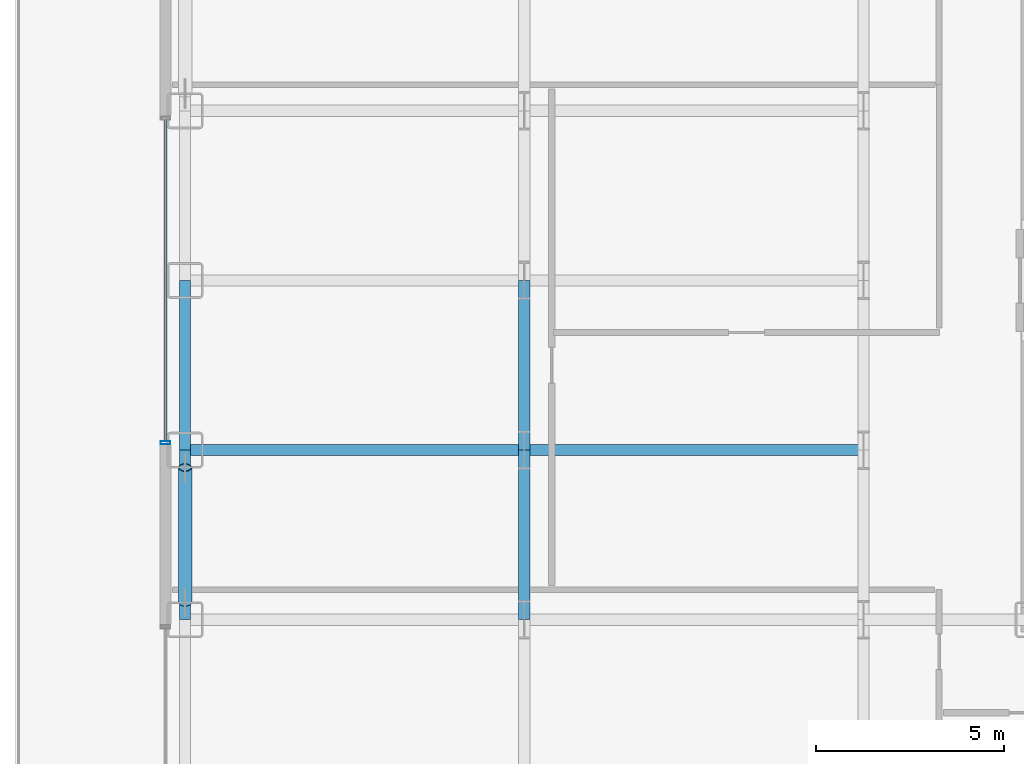
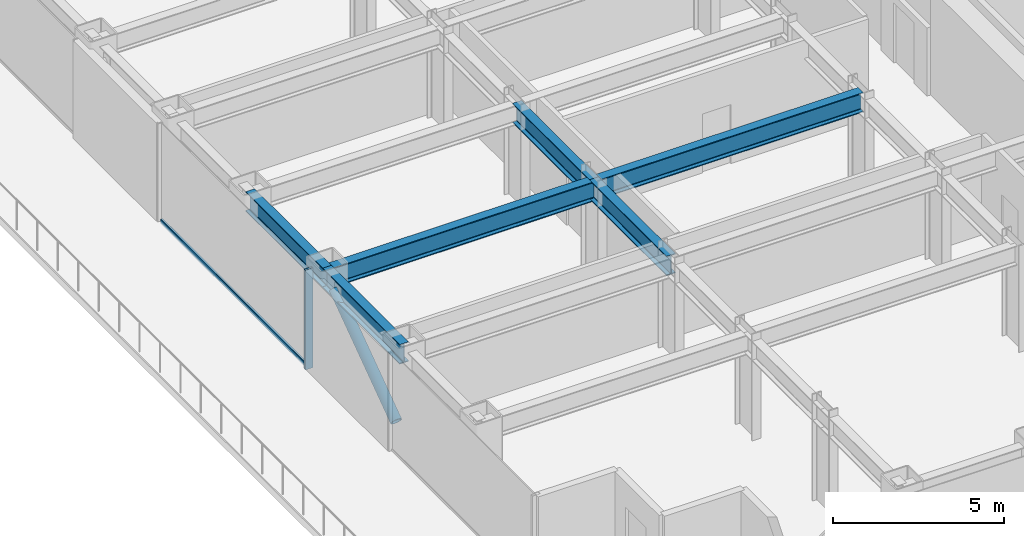
# One storey, part 5 of 30: 6 beams, 3 members, 1 element without a shape of its own.
"""IFC4 building model written with IfcOpenShell, lengths in metres."""

import ifcopenshell
import ifcopenshell.guid

model = None  # the IFC model being written
_history = None  # IfcOwnerHistory: only IFC2X3 demands one
_inside = {}  # id of a spatial element -> (the spatial element, [elements in it])
_under = {}  # id of a project, library or spatial element -> (it, [spatial elements below it])
_declared = {}  # id of a project -> (the project, [libraries it declares])
_typed = {}  # id of a type object -> (the type object, [elements of that type])
_made_of = {}  # id of a material, layer set ... -> (it, [elements and type objects made of it])


def new_model(schema):
    """Start an empty IFC model of exactly this schema.

    Asked for "IFC4X3", IfcOpenShell would pick the latest addendum, in which some entities
    have other attributes; the version numbers below select the first issue.
    IFC2X3 requires an IfcOwnerHistory on every rooted entity: one is made here for all.
    """
    global model, _history
    if schema == "IFC4X3":
        model = ifcopenshell.file(schema_version=(4, 3, 0, 0))
    else:
        model = ifcopenshell.file(schema=schema)
    _inside.clear()
    _under.clear()
    _declared.clear()
    _typed.clear()
    _made_of.clear()
    _history = None
    if model.schema == "IFC2X3":
        org = make("IfcOrganization", Name="unknown")
        user = make(
            "IfcPersonAndOrganization",
            ThePerson=make("IfcPerson", FamilyName="unknown"),
            TheOrganization=org,
        )
        app = make(
            "IfcApplication",
            ApplicationDeveloper=org,
            Version="unknown",
            ApplicationFullName="unknown",
            ApplicationIdentifier="unknown",
        )
        _history = make(
            "IfcOwnerHistory",
            OwningUser=user,
            OwningApplication=app,
            ChangeAction="ADDED",
            CreationDate=0,
        )
    return model


def make(cls, **values):
    """One entity of the class cls with the attributes given. An attribute that is None is left unset."""
    return model.create_entity(
        cls, **{name: value for name, value in values.items() if value is not None}
    )


def rooted(cls, **values):
    """An entity with a GlobalId (a new one), such as an element, a storey or a relation."""
    return make(cls, GlobalId=ifcopenshell.guid.new(), OwnerHistory=_history, **values)


def si_unit(unit_type, name, prefix=None):
    """IfcSIUnit, for example si_unit("LENGTHUNIT", "METRE", prefix="MILLI")."""
    return make("IfcSIUnit", UnitType=unit_type, Prefix=prefix, Name=name)


def assignment(units):
    """IfcUnitAssignment: the units of a project."""
    return None if units is None else make("IfcUnitAssignment", Units=units)


def point(xyz):
    """IfcCartesianPoint."""
    return None if xyz is None else make("IfcCartesianPoint", Coordinates=xyz)


def direction(xyz):
    """IfcDirection."""
    return None if xyz is None else make("IfcDirection", DirectionRatios=xyz)


def frame(location, z_axis=None, x_axis=None):
    """IfcAxis2Placement3D, a coordinate frame: its origin and axes. An axis left out is left unset."""
    return make(
        "IfcAxis2Placement3D",
        Location=point(location),
        Axis=direction(z_axis),
        RefDirection=direction(x_axis),
    )


def frame_2d(location, x_axis=None):
    """IfcAxis2Placement2D, a coordinate frame in the plane: its origin and x axis."""
    return make(
        "IfcAxis2Placement2D", Location=point(location), RefDirection=direction(x_axis)
    )


def origin():
    """The frame at (0, 0, 0) with its axes left unset."""
    return frame((0.0, 0.0, 0.0))


def origin_2d():
    """The frame at (0, 0) in the plane with its x axis left unset."""
    return frame_2d((0.0, 0.0))


def place(relative_to, where):
    """IfcLocalPlacement: puts the frame where relative to a parent placement (None: the world)."""
    return make(
        "IfcLocalPlacement", PlacementRelTo=relative_to, RelativePlacement=where
    )


def context(
    kind, dimensions, precision=None, world=None, true_north=None, identifier=None
):
    """IfcGeometricRepresentationContext, for example the 3D "Model" context."""
    return make(
        "IfcGeometricRepresentationContext",
        ContextIdentifier=identifier,
        ContextType=kind,
        CoordinateSpaceDimension=dimensions,
        Precision=precision,
        WorldCoordinateSystem=world,
        TrueNorth=true_north,
    )


def subcontext(parent, identifier, kind, view, scale=None):
    """IfcGeometricRepresentationSubContext, for example "Body" below "Model"."""
    return make(
        "IfcGeometricRepresentationSubContext",
        ContextIdentifier=identifier,
        ContextType=kind,
        ParentContext=parent,
        TargetScale=scale,
        TargetView=view,
    )


def project(units=None, contexts=None):
    """IfcProject with its units and contexts."""
    return rooted(
        "IfcProject",
        Name="project",
        RepresentationContexts=contexts,
        UnitsInContext=assignment(units),
    )


def spatial(cls, under=None, at=None, **own):
    """A site, building, storey or space (cls), placed at a placement, below another one or the project."""
    s = rooted(cls, ObjectPlacement=at, **own)
    if under is not None:
        _under.setdefault(under.id(), (under, []))[1].append(s)
    return s


def profile(cls, at=None, kind="AREA", **sizes):
    """A parametric profile (cls). Its sizes go by their IFC names, for example OverallWidth=200.0."""
    return make(cls, ProfileType=kind, Position=at, **sizes)


def hollow_rectangle(**sizes):
    """IfcRectangleHollowProfileDef."""
    return profile("IfcRectangleHollowProfileDef", **sizes)


def hollow_circle(**sizes):
    """IfcCircleHollowProfileDef."""
    return profile("IfcCircleHollowProfileDef", **sizes)


def i_section(**sizes):
    """IfcIShapeProfileDef."""
    return profile("IfcIShapeProfileDef", **sizes)


def extrude(swept, where, along, depth):
    """IfcExtrudedAreaSolid: the profile swept, set in the frame where, extruded along a direction by depth."""
    return make(
        "IfcExtrudedAreaSolid",
        SweptArea=swept,
        Position=where,
        ExtrudedDirection=direction(along),
        Depth=depth,
    )


def shape(context_of_items, identifier, shape_type, items):
    """IfcShapeRepresentation: the items that make up one representation, for example the "Body"."""
    return make(
        "IfcShapeRepresentation",
        ContextOfItems=context_of_items,
        RepresentationIdentifier=identifier,
        RepresentationType=shape_type,
        Items=items,
    )


def source(mapping_origin, context_of_items, identifier, shape_type, items):
    """IfcRepresentationMap: a shape defined once, which mapped items show again and again."""
    return make(
        "IfcRepresentationMap",
        MappingOrigin=mapping_origin,
        MappedRepresentation=shape(context_of_items, identifier, shape_type, items),
    )


def transform(
    local_origin,
    x_axis=None,
    y_axis=None,
    z_axis=None,
    scale=None,
    scale2=None,
    scale3=None,
    uniform=True,
):
    """IfcCartesianTransformationOperator3D, or its non-uniform kind. x_axis, y_axis, z_axis: its Axis1, 2, 3."""
    if uniform:
        return make(
            "IfcCartesianTransformationOperator3D",
            Axis1=direction(x_axis),
            Axis2=direction(y_axis),
            LocalOrigin=point(local_origin),
            Scale=scale,
            Axis3=direction(z_axis),
        )
    return make(
        "IfcCartesianTransformationOperator3DnonUniform",
        Axis1=direction(x_axis),
        Axis2=direction(y_axis),
        LocalOrigin=point(local_origin),
        Scale=scale,
        Axis3=direction(z_axis),
        Scale2=scale2,
        Scale3=scale3,
    )


def mapped(mapping_source, mapping_target):
    """IfcMappedItem: shows the shape of a source again, moved by a transform."""
    return make(
        "IfcMappedItem", MappingSource=mapping_source, MappingTarget=mapping_target
    )


def material(Name=None, Category=None):
    """IfcMaterial."""
    return make("IfcMaterial", Name=Name, Category=Category)


def layer(
    of_material, thickness, ventilated=None, Name=None, Category=None, Priority=None
):
    """IfcMaterialLayer: one layer of a wall or slab, of a material (None: an air gap)."""
    return make(
        "IfcMaterialLayer",
        Material=of_material,
        LayerThickness=thickness,
        IsVentilated=ventilated,
        Name=Name,
        Category=Category,
        Priority=Priority,
    )


def layer_set(layers, Name=None):
    """IfcMaterialLayerSet."""
    return make("IfcMaterialLayerSet", MaterialLayers=layers, LayerSetName=Name)


def material_profile(
    of_material, cross_section, Name=None, Category=None, Priority=None
):
    """IfcMaterialProfile: a cross section and its material."""
    return make(
        "IfcMaterialProfile",
        Name=Name,
        Material=of_material,
        Profile=cross_section,
        Priority=Priority,
        Category=Category,
    )


def profile_set(profiles, Name=None, composite=None):
    """IfcMaterialProfileSet."""
    return make(
        "IfcMaterialProfileSet",
        Name=Name,
        MaterialProfiles=profiles,
        CompositeProfile=composite,
    )


def made_of(thing, what):
    """Note that an element or type object is made of a material, layer set ...; save() writes the relation."""
    if what is not None:
        _made_of.setdefault(what.id(), (what, []))[1].append(thing)
    return thing


def type_object(cls, material=None, **own):
    """A type object (cls), such as IfcWallType, which elements share."""
    return made_of(rooted(cls, **own), material)


def element(
    cls,
    number,
    at=None,
    inside=None,
    cuts=None,
    type_object=None,
    material=None,
    context=None,
    identifier="Body",
    shape_type=None,
    held_by="IfcProductDefinitionShape",
    body=None,
    shapes=None,
    **own,
):
    """One element of the class cls, such as IfcWall. Its Tag is "e" and its number.

    at: its placement. inside: the storey or other place that contains it. cuts: it is an
    opening in that element (IfcRelVoidsElement). A single representation is given by context,
    identifier, shape_type and body (its items); several are given by shapes. held_by: the class
    of the entity that holds the representations. save() writes the other relations.
    """
    e = rooted(cls, Tag="e%d" % number, ObjectPlacement=at, **own)
    if body is not None:
        shapes = [shape(context, identifier, shape_type, body)]
    if shapes is not None:
        e.Representation = make(held_by, Representations=shapes)
    if inside is not None:
        _inside.setdefault(inside.id(), (inside, []))[1].append(e)
    if cuts is not None:
        rooted(
            "IfcRelVoidsElement", RelatingBuildingElement=cuts, RelatedOpeningElement=e
        )
    if type_object is not None:
        _typed.setdefault(type_object.id(), (type_object, []))[1].append(e)
    return made_of(e, material)


def aggregate(whole, parts):
    """IfcRelAggregates: a whole, such as a stair, and the parts it consists of."""
    return rooted("IfcRelAggregates", RelatingObject=whole, RelatedObjects=parts)


def save(model, path):
    """Write the relations noted so far, then the file.

    IfcRelAggregates (storeys below a building ...), IfcRelContainedInSpatialStructure (elements
    in a storey), IfcRelDefinesByType, IfcRelAssociatesMaterial and IfcRelDeclares: one each for
    every whole, place, type object, material and project.
    """
    for whole, parts in _under.values():
        aggregate(whole, parts)
    for where, things in _inside.values():
        rooted(
            "IfcRelContainedInSpatialStructure",
            RelatedElements=things,
            RelatingStructure=where,
        )
    for kind, things in _typed.values():
        rooted("IfcRelDefinesByType", RelatedObjects=things, RelatingType=kind)
    for what, things in _made_of.values():
        rooted("IfcRelAssociatesMaterial", RelatedObjects=things, RelatingMaterial=what)
    for by, libraries in _declared.values():
        rooted("IfcRelDeclares", RelatingContext=by, RelatedDefinitions=libraries)
    model.write(path)


model = new_model("IFC4")

# Units and contexts
model_context = context("Model", 3, precision=1e-05, world=origin(), true_north=direction((0.0, 1.0)))
body_context = subcontext(model_context, "Body", "Model", "MODEL_VIEW")
ifc_project = project(units=[si_unit("LENGTHUNIT", "METRE"), si_unit("AREAUNIT", "SQUARE_METRE"), si_unit("VOLUMEUNIT", "CUBIC_METRE"), si_unit("PLANEANGLEUNIT", "RADIAN"), si_unit("MASSUNIT", "GRAM", prefix="KILO")], contexts=[model_context])

# Site, building, storey
site_placement = place(None, origin())
site = spatial("IfcSite", under=ifc_project, at=site_placement, CompositionType="ELEMENT")
building_placement = place(site_placement, origin())
building = spatial("IfcBuilding", under=site, at=building_placement, Name="Nefas-Gora Pilgrimage Tower", CompositionType="ELEMENT")
storey_placement = place(building_placement, frame((0.0, 0.0, 33.0)))
storey = spatial("IfcBuildingStorey", under=building, at=storey_placement, Name="L06", CompositionType="ELEMENT", Elevation=33.0)

# Beams
ifc_material_1 = material(Name="Steel S355", Category="steel")
ifc_material_profile_1 = material_profile(ifc_material_1, i_section(OverallWidth=0.300048828125, OverallDepth=0.699951171875, WebThickness=0.01708984375, FlangeThickness=0.031982421875, FilletRadius=0.027099609375, at=origin_2d()), Name="HEB 700")
ifc_profile_set_1 = profile_set([ifc_material_profile_1], Name="Steel S355")
beam_type_1 = type_object("IfcBeamType", Name="BM-SPN-HEB600", PredefinedType="SPANDREL", material=ifc_profile_set_1)
shared_shape_1 = source(origin(), body_context, "Body", "SweptSolid", [
    extrude(i_section(OverallWidth=0.300048828125, OverallDepth=0.699951171875, WebThickness=0.01708984375, FlangeThickness=0.031982421875, FilletRadius=0.027099609375, at=origin_2d()), origin(), (0.0, 0.0, 1.0), 4.5),
])
for number, where, z_axis, x_axis, name in (
    (1, (-33.75, -9.0, 3.199951171875), (0.0, 1.0, 0.0), (-1.0, 0.0, 0.0), "L06 SP-01 beam"),
    (2, (-33.75, -4.5, 3.199951171875), (0.0, 1.0, 0.0), (-1.0, 0.0, 0.0), "L06 SP-01 beam"),
):
    element("IfcBeam", number, at=place(storey_placement, frame(where, z_axis=z_axis, x_axis=x_axis)), inside=storey, type_object=beam_type_1, Name=name, PredefinedType="SPANDREL", context=body_context, shape_type="MappedRepresentation", body=[
        mapped(shared_shape_1, transform((0.0, 0.0, 0.0), x_axis=(1.0, 0.0, 0.0), y_axis=(0.0, 1.0, 0.0), z_axis=(0.0, 0.0, 1.0), scale=1.0)),
    ])
ifc_material_profile_2 = material_profile(ifc_material_1, i_section(OverallWidth=0.300048828125, OverallDepth=0.699951171875, WebThickness=0.01708984375, FlangeThickness=0.031982421875, FilletRadius=0.027099609375, at=origin_2d()), Name="HEB 700")
ifc_profile_set_2 = profile_set([ifc_material_profile_2], Name="Steel S355")
beam_type_2 = type_object("IfcBeamType", Name="BM-GIR-HEB700", PredefinedType="BEAM", material=ifc_profile_set_2)
shared_shape_2 = source(origin(), body_context, "Body", "SweptSolid", [
    extrude(i_section(OverallWidth=0.300048828125, OverallDepth=0.699951171875, WebThickness=0.01708984375, FlangeThickness=0.031982421875, FilletRadius=0.027099609375, at=origin_2d()), origin(), (0.0, 0.0, 1.0), 9.0),
])
for number, where, z_axis, x_axis, name in (
    (3, (-33.75, -4.5, 3.199951171875), (1.0, 0.0, 0.0), (0.0, 1.0, 0.0), "L06 G-02 beam"),
    (4, (-24.75, -4.5, 3.199951171875), (1.0, 0.0, 0.0), (0.0, 1.0, 0.0), "L06 G-02 beam"),
):
    element("IfcBeam", number, at=place(storey_placement, frame(where, z_axis=z_axis, x_axis=x_axis)), inside=storey, type_object=beam_type_2, Name=name, PredefinedType="BEAM", context=body_context, shape_type="MappedRepresentation", body=[
        mapped(shared_shape_2, transform((0.0, 0.0, 0.0), x_axis=(1.0, 0.0, 0.0), y_axis=(0.0, 1.0, 0.0), z_axis=(0.0, 0.0, 1.0), scale=1.0)),
    ])
shared_shape_3 = source(origin(), body_context, "Body", "SweptSolid", [
    extrude(i_section(OverallWidth=0.300048828125, OverallDepth=0.699951171875, WebThickness=0.01708984375, FlangeThickness=0.031982421875, FilletRadius=0.027099609375, at=origin_2d()), origin(), (0.0, 0.0, 1.0), 4.5),
])
for number, where, z_axis, x_axis, name in (
    (5, (-24.75, -9.0, 3.199951171875), (0.0, 1.0, 0.0), (-1.0, 0.0, 0.0), "L06 G-02 beam"),
    (6, (-24.75, -4.5, 3.199951171875), (0.0, 1.0, 0.0), (-1.0, 0.0, 0.0), "L06 G-02 beam"),
):
    element("IfcBeam", number, at=place(storey_placement, frame(where, z_axis=z_axis, x_axis=x_axis)), inside=storey, type_object=beam_type_2, Name=name, PredefinedType="BEAM", context=body_context, shape_type="MappedRepresentation", body=[
        mapped(shared_shape_3, transform((0.0, 0.0, 0.0), x_axis=(1.0, 0.0, 0.0), y_axis=(0.0, 1.0, 0.0), z_axis=(0.0, 0.0, 1.0), scale=1.0)),
    ])

# Member
ifc_material_2 = material(Name="Steel S460", Category="steel")
ifc_material_profile_3 = material_profile(ifc_material_2, hollow_circle(Radius=0.177734375, WallThickness=0.02001953125, at=origin_2d()), Name="CHS 355.6x20")
ifc_profile_set_3 = profile_set([ifc_material_profile_3], Name="Steel S460")
member_type_1 = type_object("IfcMemberType", Name="MEM-TUBE-356", PredefinedType="BRACE", material=ifc_profile_set_3)
shared_shape_4 = source(origin(), body_context, "Body", "SweptSolid", [
    extrude(hollow_circle(Radius=0.177734375, WallThickness=0.02001953125, at=origin_2d()), origin(), (0.0, 0.0, 1.0), 4.39501953125),
])
member_1_placement = place(storey_placement, frame((-33.75, -8.537109375, 0.481201171875), z_axis=(0.0, 0.813237738338, 0.581931594729), x_axis=(-1.0, 0.0, 0.0)))
element("IfcMember", 7, at=member_1_placement, inside=storey, type_object=member_type_1, Name="L06 Perimeter Tube Diagonal Brace W1", PredefinedType="BRACE", context=body_context, shape_type="MappedRepresentation", body=[
    mapped(shared_shape_4, transform((0.0, 0.0, 0.0), x_axis=(1.0, 0.0, 0.0), y_axis=(0.0, 1.0, 0.0), z_axis=(0.0, 0.0, 1.0), scale=1.0)),
])

# Curtain wall, members
ifc_material_3 = material(Name="Dark ceramic-fritted solar-control aluminium-glass curtain wall", Category="aluminium")
ifc_layer = layer(ifc_material_3, 0.219970703125)
ifc_layer_set = layer_set([ifc_layer], Name="Dark ceramic-fritted solar-control aluminium-glass curtain wall")
curtain_wall_type = type_object("IfcCurtainWallType", Name="CW-SYS-2", PredefinedType="NOTDEFINED", material=ifc_layer_set)
curtain_wall_placement = place(storey_placement, origin())
curtain_wall = element("IfcCurtainWall", 8, at=curtain_wall_placement, inside=storey, type_object=curtain_wall_type, Name="L06 Unitised Curtain Wall CW2", PredefinedType="NOTDEFINED")
ifc_material_4 = material(Name="Anodised architectural aluminium", Category="aluminium")
ifc_material_profile_4 = material_profile(ifc_material_4, hollow_rectangle(XDim=0.090087890625, YDim=0.260009765625, WallThickness=0.006103515625, InnerFilletRadius=0.006103515625, OuterFilletRadius=0.011962890625, at=origin_2d()), Name="ALU MULLION 90x260")
ifc_profile_set_4 = profile_set([ifc_material_profile_4], Name="Anodised architectural aluminium")
member_type_2 = type_object("IfcMemberType", Name="CWM-MUL-2", PredefinedType="MULLION", material=ifc_profile_set_4)
shared_shape_5 = source(origin(), body_context, "Body", "SweptSolid", [
    extrude(hollow_rectangle(XDim=0.090087890625, YDim=0.260009765625, WallThickness=0.006103515625, InnerFilletRadius=0.006103515625, OuterFilletRadius=0.011962890625, at=origin_2d()), origin(), (0.0, 0.0, 1.0), 3.550048828125),
])
member_2_placement = place(storey_placement, frame((-34.27001953125, -4.304931640625, 0.0), z_axis=(0.0, 0.0, 1.0), x_axis=(0.0, -1.0, 0.0)))
member_2 = element("IfcMember", 9, at=member_2_placement, type_object=member_type_2, Name="CW2 Mullion 2", PredefinedType="MULLION", context=body_context, shape_type="MappedRepresentation", body=[
    mapped(shared_shape_5, transform((0.0, 0.0, 0.0), x_axis=(1.0, 0.0, 0.0), y_axis=(0.0, 1.0, 0.0), z_axis=(0.0, 0.0, 1.0), scale=1.0)),
])
ifc_material_profile_5 = material_profile(ifc_material_4, hollow_rectangle(XDim=0.080078125, YDim=0.159912109375, WallThickness=0.00439453125, InnerFilletRadius=0.00439453125, OuterFilletRadius=0.009033203125, at=origin_2d()), Name="ALU TRANSOM 80x160")
ifc_profile_set_5 = profile_set([ifc_material_profile_5], Name="Anodised architectural aluminium")
member_type_3 = type_object("IfcMemberType", Name="CWM-TRN-2", PredefinedType="USERDEFINED", material=ifc_profile_set_5)
shared_shape_6 = source(origin(), body_context, "Body", "SweptSolid", [
    extrude(hollow_rectangle(XDim=0.080078125, YDim=0.159912109375, WallThickness=0.00439453125, InnerFilletRadius=0.00439453125, OuterFilletRadius=0.009033203125, at=origin_2d()), origin(), (0.0, 0.0, 1.0), 8.52001953125),
])
member_3_placement = place(storey_placement, frame((-34.27001953125, 4.260009765625, 0.050048828125), z_axis=(0.0, -1.0, 0.0), x_axis=(1.0, 0.0, 0.0)))
member_3 = element("IfcMember", 10, at=member_3_placement, type_object=member_type_3, Name="CW2 Spandrel Transom", ObjectType="TRANSOM", PredefinedType="USERDEFINED", context=body_context, shape_type="MappedRepresentation", body=[
    mapped(shared_shape_6, transform((0.0, 0.0, 0.0), x_axis=(1.0, 0.0, 0.0), y_axis=(0.0, 1.0, 0.0), z_axis=(0.0, 0.0, 1.0), scale=1.0)),
])
aggregate(curtain_wall, [member_2, member_3])

save(model, "model.ifc")
